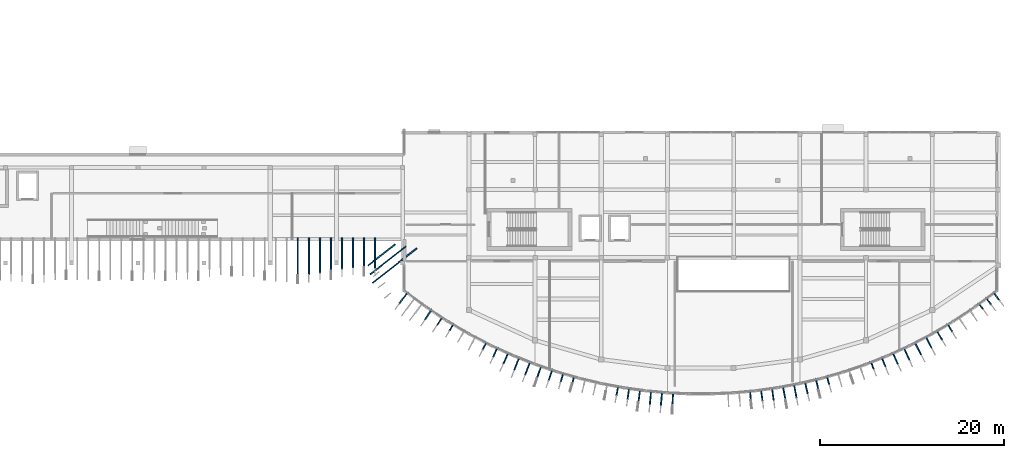
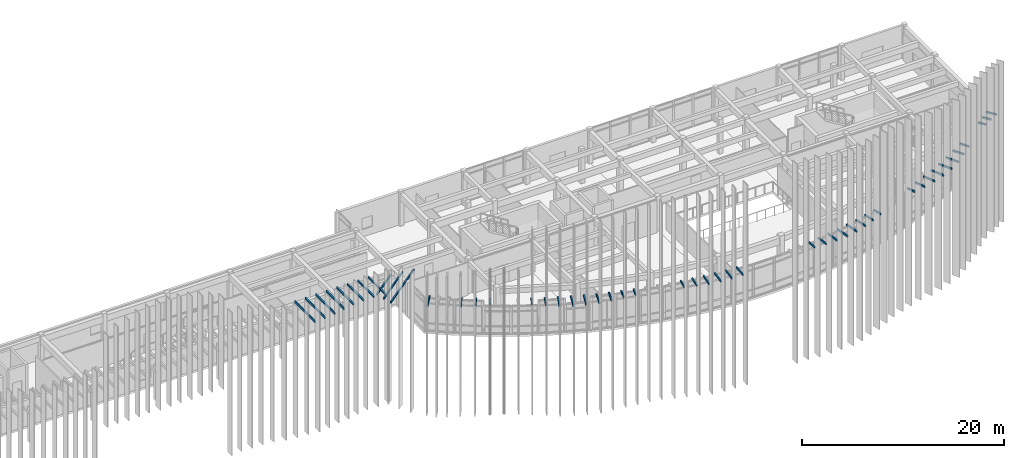
# One storey, part 37 of 47: 49 discrete accessories.
"""IFC4 building model written with IfcOpenShell, lengths in metres."""

from ifc_helpers import new_model, si_unit, direction, frame, origin, origin_2d, place, context, subcontext, project, spatial, rectangle, extrude, material, type_object, element, save


model = new_model("IFC4")

# Units and contexts
model_context = context("Model", 3, precision=1e-05, world=origin(), true_north=direction((0.0, 1.0)))
body_context = subcontext(model_context, "Body", "Model", "MODEL_VIEW")
ifc_project = project(units=[si_unit("LENGTHUNIT", "METRE"), si_unit("AREAUNIT", "SQUARE_METRE"), si_unit("VOLUMEUNIT", "CUBIC_METRE"), si_unit("PLANEANGLEUNIT", "RADIAN"), si_unit("MASSUNIT", "GRAM", prefix="KILO")], contexts=[model_context])

# Site, building, storey
site_placement = place(None, origin())
site = spatial("IfcSite", under=ifc_project, at=site_placement, CompositionType="ELEMENT")
building_placement = place(site_placement, origin())
building = spatial("IfcBuilding", under=site, at=building_placement, Name="Brisavento Harbour Community Centre", CompositionType="ELEMENT")
storey_placement = place(building_placement, frame((0.0, 0.0, 8.699951171875)))
storey = spatial("IfcBuildingStorey", under=building, at=storey_placement, Name="L02", CompositionType="ELEMENT", Elevation=8.699951171875)

# Discrete accessories
ifc_material = material(Name="Stainless steel 1.4401", Category="steel")
discrete_accessory_type = type_object("IfcDiscreteAccessoryType", Name="BRK-FIN-SS", PredefinedType="BRACKET", material=ifc_material)
discrete_accessory_1_placement = place(storey_placement, frame((96.60009765625, 15.111328125, 3.97998046875), z_axis=(0.0, 0.0, 1.0), x_axis=(0.0, -1.0, 0.0)))
element("IfcDiscreteAccessory", 1, at=discrete_accessory_1_placement, inside=storey, type_object=discrete_accessory_type, Name="Stainless-steel storm-fin bracket 082.4", PredefinedType="BRACKET", context=body_context, shape_type="SweptSolid", body=[
    extrude(rectangle(XDim=4.077392578125, YDim=0.139892578125, at=origin_2d()), origin(), (0.0, 0.0, 1.0), 0.199951171875),
])
discrete_accessory_2_placement = place(storey_placement, frame((97.800048828125, 15.1513671875, 3.97998046875), z_axis=(0.0, 0.0, 1.0), x_axis=(0.0, -1.0, 0.0)))
element("IfcDiscreteAccessory", 2, at=discrete_accessory_2_placement, inside=storey, type_object=discrete_accessory_type, Name="Stainless-steel storm-fin bracket 083.4", PredefinedType="BRACKET", context=body_context, shape_type="SweptSolid", body=[
    extrude(rectangle(XDim=3.997314453125, YDim=0.139892578125, at=origin_2d()), origin(), (0.0, 0.0, 1.0), 0.199951171875),
])
discrete_accessory_3_placement = place(storey_placement, frame((99.0, 15.2373046875, 3.97998046875), z_axis=(0.0, 0.0, 1.0), x_axis=(0.0, -1.0, 0.0)))
element("IfcDiscreteAccessory", 3, at=discrete_accessory_3_placement, inside=storey, type_object=discrete_accessory_type, Name="Stainless-steel storm-fin bracket 084.4", PredefinedType="BRACKET", context=body_context, shape_type="SweptSolid", body=[
    extrude(rectangle(XDim=3.825439453125, YDim=0.139892578125, at=origin_2d()), origin(), (0.0, 0.0, 1.0), 0.199951171875),
])
discrete_accessory_4_placement = place(storey_placement, frame((100.199951171875, 15.345947265625, 3.97998046875), z_axis=(0.0, 0.0, 1.0), x_axis=(0.0, -1.0, 0.0)))
element("IfcDiscreteAccessory", 4, at=discrete_accessory_4_placement, inside=storey, type_object=discrete_accessory_type, Name="Stainless-steel storm-fin bracket 085.4", PredefinedType="BRACKET", context=body_context, shape_type="SweptSolid", body=[
    extrude(rectangle(XDim=3.60791015625, YDim=0.139892578125, at=origin_2d()), origin(), (0.0, 0.0, 1.0), 0.199951171875),
])
discrete_accessory_5_placement = place(storey_placement, frame((101.39990234375, 15.448486328125, 3.97998046875), z_axis=(0.0, 0.0, 1.0), x_axis=(0.0, -1.0, 0.0)))
element("IfcDiscreteAccessory", 5, at=discrete_accessory_5_placement, inside=storey, type_object=discrete_accessory_type, Name="Stainless-steel storm-fin bracket 086.4", PredefinedType="BRACKET", context=body_context, shape_type="SweptSolid", body=[
    extrude(rectangle(XDim=3.403076171875, YDim=0.139892578125, at=origin_2d()), origin(), (0.0, 0.0, 1.0), 0.199951171875),
])
discrete_accessory_6_placement = place(storey_placement, frame((102.60009765625, 15.51708984375, 3.97998046875), z_axis=(0.0, 0.0, 1.0), x_axis=(0.0, -1.0, 0.0)))
element("IfcDiscreteAccessory", 6, at=discrete_accessory_6_placement, inside=storey, type_object=discrete_accessory_type, Name="Stainless-steel storm-fin bracket 087.4", PredefinedType="BRACKET", context=body_context, shape_type="SweptSolid", body=[
    extrude(rectangle(XDim=3.265625, YDim=0.139892578125, at=origin_2d()), origin(), (0.0, 0.0, 1.0), 0.199951171875),
])
discrete_accessory_7_placement = place(storey_placement, frame((103.800048828125, 15.53369140625, 3.97998046875), z_axis=(0.0, 0.0, 1.0), x_axis=(0.0, -1.0, 0.0)))
element("IfcDiscreteAccessory", 7, at=discrete_accessory_7_placement, inside=storey, type_object=discrete_accessory_type, Name="Stainless-steel storm-fin bracket 088.4", PredefinedType="BRACKET", context=body_context, shape_type="SweptSolid", body=[
    extrude(rectangle(XDim=3.232666015625, YDim=0.139892578125, at=origin_2d()), origin(), (0.0, 0.0, 1.0), 0.199951171875),
])
discrete_accessory_8_placement = place(storey_placement, frame((105.0, 15.49365234375, 3.97998046875), z_axis=(0.0, 0.0, 1.0), x_axis=(0.0, -1.0, 0.0)))
element("IfcDiscreteAccessory", 8, at=discrete_accessory_8_placement, inside=storey, type_object=discrete_accessory_type, Name="Stainless-steel storm-fin bracket 089.4", PredefinedType="BRACKET", context=body_context, shape_type="SweptSolid", body=[
    extrude(rectangle(XDim=3.312744140625, YDim=0.139892578125, at=origin_2d()), origin(), (0.0, 0.0, 1.0), 0.199951171875),
])
discrete_accessory_9_placement = place(storey_placement, frame((105.707275390625, 15.290283203125, 3.97998046875), z_axis=(0.0, 0.0, 1.0), x_axis=(-0.788053732966, -0.615606460297, 0.0)))
element("IfcDiscreteAccessory", 9, at=discrete_accessory_9_placement, inside=storey, type_object=discrete_accessory_type, Name="Stainless-steel storm-fin bracket 090.4", PredefinedType="BRACKET", context=body_context, shape_type="SweptSolid", body=[
    extrude(rectangle(XDim=3.765380859375, YDim=0.139892578125, at=origin_2d()), origin(), (0.0, 0.0, 1.0), 0.199951171875),
])
discrete_accessory_10_placement = place(storey_placement, frame((106.4140625, 14.70556640625, 3.97998046875), z_axis=(0.0, 0.0, 1.0), x_axis=(-0.788053732966, -0.615606460297, 0.0)))
element("IfcDiscreteAccessory", 10, at=discrete_accessory_10_placement, inside=storey, type_object=discrete_accessory_type, Name="Stainless-steel storm-fin bracket 091.4", PredefinedType="BRACKET", context=body_context, shape_type="SweptSolid", body=[
    extrude(rectangle(XDim=4.94970703125, YDim=0.139892578125, at=origin_2d()), origin(), (0.0, 0.0, 1.0), 0.199951171875),
])
discrete_accessory_11_placement = place(storey_placement, frame((107.130126953125, 14.1279296875, 3.97998046875), z_axis=(0.0, 0.0, 1.0), x_axis=(-0.788053732966, -0.615606460297, 0.0)))
element("IfcDiscreteAccessory", 11, at=discrete_accessory_11_placement, inside=storey, type_object=discrete_accessory_type, Name="Stainless-steel storm-fin bracket 092.4", PredefinedType="BRACKET", context=body_context, shape_type="SweptSolid", body=[
    extrude(rectangle(XDim=6.116943359375, YDim=0.139892578125, at=origin_2d()), origin(), (0.0, 0.0, 1.0), 0.199951171875),
])
discrete_accessory_12_placement = place(storey_placement, frame((108.09765625, 10.62451171875, 3.97998046875), z_axis=(0.0, 0.0, 1.0), x_axis=(-0.600252726595, -0.799810392665, 0.0)))
element("IfcDiscreteAccessory", 12, at=discrete_accessory_12_placement, inside=storey, type_object=discrete_accessory_type, Name="Stainless-steel storm-fin bracket 093.4", PredefinedType="BRACKET", context=body_context, shape_type="SweptSolid", body=[
    extrude(rectangle(XDim=1.607666015625, YDim=0.139892578125, at=origin_2d()), origin(), (0.0, 0.0, 1.0), 0.199951171875),
])
discrete_accessory_13_placement = place(storey_placement, frame((110.77685546875, 8.7919921875, 3.97998046875), z_axis=(0.0, 0.0, 1.0), x_axis=(-0.554060082852, -0.832476681109, 0.0)))
element("IfcDiscreteAccessory", 13, at=discrete_accessory_13_placement, inside=storey, type_object=discrete_accessory_type, Name="Stainless-steel storm-fin bracket 096.4", PredefinedType="BRACKET", context=body_context, shape_type="SweptSolid", body=[
    extrude(rectangle(XDim=1.405517578125, YDim=0.139892578125, at=origin_2d()), origin(), (0.0, 0.0, 1.0), 0.199951171875),
])
discrete_accessory_14_placement = place(storey_placement, frame((112.048583984375, 8.100830078125, 3.97998046875), z_axis=(0.0, 0.0, 1.0), x_axis=(-0.554060082852, -0.832476681109, 0.0)))
element("IfcDiscreteAccessory", 14, at=discrete_accessory_14_placement, inside=storey, type_object=discrete_accessory_type, Name="Stainless-steel storm-fin bracket 097.4", PredefinedType="BRACKET", context=body_context, shape_type="SweptSolid", body=[
    extrude(rectangle(XDim=1.146728515625, YDim=0.139892578125, at=origin_2d()), origin(), (0.0, 0.0, 1.0), 0.199951171875),
])
discrete_accessory_15_placement = place(storey_placement, frame((113.3203125, 7.4404296875, 3.97998046875), z_axis=(0.0, 0.0, 1.0), x_axis=(-0.507869167385, -0.861434216188, 0.0)))
element("IfcDiscreteAccessory", 15, at=discrete_accessory_15_placement, inside=storey, type_object=discrete_accessory_type, Name="Stainless-steel storm-fin bracket 098.4", PredefinedType="BRACKET", context=body_context, shape_type="SweptSolid", body=[
    extrude(rectangle(XDim=0.913330078125, YDim=0.139892578125, at=origin_2d()), origin(), (0.0, 0.0, 1.0), 0.199951171875),
])
discrete_accessory_16_placement = place(storey_placement, frame((116.914794921875, 5.41357421875, 3.97998046875), z_axis=(0.0, 0.0, 1.0), x_axis=(-0.461702168823, -0.887035009063, 0.0)))
element("IfcDiscreteAccessory", 16, at=discrete_accessory_16_placement, inside=storey, type_object=discrete_accessory_type, Name="Stainless-steel storm-fin bracket 101.4", PredefinedType="BRACKET", context=body_context, shape_type="SweptSolid", body=[
    extrude(rectangle(XDim=0.968994140625, YDim=0.139892578125, at=origin_2d()), origin(), (0.0, 0.0, 1.0), 0.199951171875),
])
discrete_accessory_17_placement = place(storey_placement, frame((118.07470703125, 4.716796875, 3.97998046875), z_axis=(0.0, 0.0, 1.0), x_axis=(-0.415518926407, -0.909584532519, 0.0)))
element("IfcDiscreteAccessory", 17, at=discrete_accessory_17_placement, inside=storey, type_object=discrete_accessory_type, Name="Stainless-steel storm-fin bracket 102.4", PredefinedType="BRACKET", context=body_context, shape_type="SweptSolid", body=[
    extrude(rectangle(XDim=1.20263671875, YDim=0.139892578125, at=origin_2d()), origin(), (0.0, 0.0, 1.0), 0.199951171875),
])
discrete_accessory_18_placement = place(storey_placement, frame((119.2265625, 4.063232421875, 3.97998046875), z_axis=(0.0, 0.0, 1.0), x_axis=(-0.415518926407, -0.909584532519, 0.0)))
element("IfcDiscreteAccessory", 18, at=discrete_accessory_18_placement, inside=storey, type_object=discrete_accessory_type, Name="Stainless-steel storm-fin bracket 103.4", PredefinedType="BRACKET", context=body_context, shape_type="SweptSolid", body=[
    extrude(rectangle(XDim=1.434326171875, YDim=0.139892578125, at=origin_2d()), origin(), (0.0, 0.0, 1.0), 0.199951171875),
])
discrete_accessory_19_placement = place(storey_placement, frame((120.4169921875, 3.4697265625, 3.97998046875), z_axis=(0.0, 0.0, 1.0), x_axis=(-0.369341311525, -0.92929381554, 0.0)))
element("IfcDiscreteAccessory", 19, at=discrete_accessory_19_placement, inside=storey, type_object=discrete_accessory_type, Name="Stainless-steel storm-fin bracket 104.4", PredefinedType="BRACKET", context=body_context, shape_type="SweptSolid", body=[
    extrude(rectangle(XDim=1.59130859375, YDim=0.139892578125, at=origin_2d()), origin(), (0.0, 0.0, 1.0), 0.199951171875),
])
discrete_accessory_20_placement = place(storey_placement, frame((121.6103515625, 2.976318359375, 3.97998046875), z_axis=(0.0, 0.0, 1.0), x_axis=(-0.369341311525, -0.92929381554, 0.0)))
element("IfcDiscreteAccessory", 20, at=discrete_accessory_20_placement, inside=storey, type_object=discrete_accessory_type, Name="Stainless-steel storm-fin bracket 105.4", PredefinedType="BRACKET", context=body_context, shape_type="SweptSolid", body=[
    extrude(rectangle(XDim=1.626220703125, YDim=0.139892578125, at=origin_2d()), origin(), (0.0, 0.0, 1.0), 0.199951171875),
])
discrete_accessory_21_placement = place(storey_placement, frame((122.849365234375, 2.568603515625, 3.97998046875), z_axis=(0.0, 0.0, 1.0), x_axis=(-0.323174264667, -0.94633947115, 0.0)))
element("IfcDiscreteAccessory", 21, at=discrete_accessory_21_placement, inside=storey, type_object=discrete_accessory_type, Name="Stainless-steel storm-fin bracket 106.4", PredefinedType="BRACKET", context=body_context, shape_type="SweptSolid", body=[
    extrude(rectangle(XDim=1.53271484375, YDim=0.139892578125, at=origin_2d()), origin(), (0.0, 0.0, 1.0), 0.199951171875),
])
discrete_accessory_22_placement = place(storey_placement, frame((124.080078125, 2.249267578125, 3.97998046875), z_axis=(0.0, 0.0, 1.0), x_axis=(-0.323174264667, -0.94633947115, 0.0)))
element("IfcDiscreteAccessory", 22, at=discrete_accessory_22_placement, inside=storey, type_object=discrete_accessory_type, Name="Stainless-steel storm-fin bracket 107.4", PredefinedType="BRACKET", context=body_context, shape_type="SweptSolid", body=[
    extrude(rectangle(XDim=1.341552734375, YDim=0.139892578125, at=origin_2d()), origin(), (0.0, 0.0, 1.0), 0.199951171875),
])
discrete_accessory_23_placement = place(storey_placement, frame((125.3291015625, 1.9765625, 3.97998046875), z_axis=(0.0, 0.0, 1.0), x_axis=(-0.276996031628, -0.96087106235, 0.0)))
element("IfcDiscreteAccessory", 23, at=discrete_accessory_23_placement, inside=storey, type_object=discrete_accessory_type, Name="Stainless-steel storm-fin bracket 108.4", PredefinedType="BRACKET", context=body_context, shape_type="SweptSolid", body=[
    extrude(rectangle(XDim=1.111328125, YDim=0.139892578125, at=origin_2d()), origin(), (0.0, 0.0, 1.0), 0.199951171875),
])
discrete_accessory_24_placement = place(storey_placement, frame((126.55712890625, 1.727294921875, 3.97998046875), z_axis=(0.0, 0.0, 1.0), x_axis=(-0.276996031628, -0.96087106235, 0.0)))
element("IfcDiscreteAccessory", 24, at=discrete_accessory_24_placement, inside=storey, type_object=discrete_accessory_type, Name="Stainless-steel storm-fin bracket 109.4", PredefinedType="BRACKET", context=body_context, shape_type="SweptSolid", body=[
    extrude(rectangle(XDim=0.909912109375, YDim=0.139892578125, at=origin_2d()), origin(), (0.0, 0.0, 1.0), 0.199951171875),
])
discrete_accessory_25_placement = place(storey_placement, frame((131.35302734375, 0.545166015625, 3.97998046875), z_axis=(0.0, 0.0, 1.0), x_axis=(-0.184671830369, -0.982800241691, 0.0)))
element("IfcDiscreteAccessory", 25, at=discrete_accessory_25_placement, inside=storey, type_object=discrete_accessory_type, Name="Stainless-steel storm-fin bracket 113.4", PredefinedType="BRACKET", context=body_context, shape_type="SweptSolid", body=[
    extrude(rectangle(XDim=1.109619140625, YDim=0.139892578125, at=origin_2d()), origin(), (0.0, 0.0, 1.0), 0.199951171875),
])
discrete_accessory_26_placement = place(storey_placement, frame((132.54931640625, 0.236328125, 3.97998046875), z_axis=(0.0, 0.0, 1.0), x_axis=(-0.138499014678, -0.990362571452, 0.0)))
element("IfcDiscreteAccessory", 26, at=discrete_accessory_26_placement, inside=storey, type_object=discrete_accessory_type, Name="Stainless-steel storm-fin bracket 114.4", PredefinedType="BRACKET", context=body_context, shape_type="SweptSolid", body=[
    extrude(rectangle(XDim=1.332275390625, YDim=0.139892578125, at=origin_2d()), origin(), (0.0, 0.0, 1.0), 0.199951171875),
])
discrete_accessory_27_placement = place(storey_placement, frame((133.736328125, -0.024169921875, 3.97998046875), z_axis=(0.0, 0.0, 1.0), x_axis=(-0.138499014678, -0.990362571452, 0.0)))
element("IfcDiscreteAccessory", 27, at=discrete_accessory_27_placement, inside=storey, type_object=discrete_accessory_type, Name="Stainless-steel storm-fin bracket 115.4", PredefinedType="BRACKET", context=body_context, shape_type="SweptSolid", body=[
    extrude(rectangle(XDim=1.51953125, YDim=0.139892578125, at=origin_2d()), origin(), (0.0, 0.0, 1.0), 0.199951171875),
])
discrete_accessory_28_placement = place(storey_placement, frame((134.952880859375, -0.21630859375, 3.97998046875), z_axis=(0.0, 0.0, 1.0), x_axis=(-0.092335830041, -0.99572792192, 0.0)))
element("IfcDiscreteAccessory", 28, at=discrete_accessory_28_placement, inside=storey, type_object=discrete_accessory_type, Name="Stainless-steel storm-fin bracket 116.4", PredefinedType="BRACKET", context=body_context, shape_type="SweptSolid", body=[
    extrude(rectangle(XDim=1.62060546875, YDim=0.139892578125, at=origin_2d()), origin(), (0.0, 0.0, 1.0), 0.199951171875),
])
discrete_accessory_29_placement = place(storey_placement, frame((136.1533203125, -0.322021484375, 3.97998046875), z_axis=(0.0, 0.0, 1.0), x_axis=(-0.092335830041, -0.99572792192, 0.0)))
element("IfcDiscreteAccessory", 29, at=discrete_accessory_29_placement, inside=storey, type_object=discrete_accessory_type, Name="Stainless-steel storm-fin bracket 117.4", PredefinedType="BRACKET", context=body_context, shape_type="SweptSolid", body=[
    extrude(rectangle(XDim=1.609130859375, YDim=0.139892578125, at=origin_2d()), origin(), (0.0, 0.0, 1.0), 0.199951171875),
])
discrete_accessory_30_placement = place(storey_placement, frame((137.37939453125, -0.3466796875, 3.97998046875), z_axis=(0.0, 0.0, 1.0), x_axis=(-0.0461649984, -0.9989338281, 0.0)))
element("IfcDiscreteAccessory", 30, at=discrete_accessory_30_placement, inside=storey, type_object=discrete_accessory_type, Name="Stainless-steel storm-fin bracket 118.4", PredefinedType="BRACKET", context=body_context, shape_type="SweptSolid", body=[
    extrude(rectangle(XDim=1.488525390625, YDim=0.139892578125, at=origin_2d()), origin(), (0.0, 0.0, 1.0), 0.199951171875),
])
discrete_accessory_31_placement = place(storey_placement, frame((145.823974609375, 0.032958984375, 3.97998046875), z_axis=(0.0, 0.0, 1.0), x_axis=(0.092335830041, -0.99572792192, 0.0)))
element("IfcDiscreteAccessory", 31, at=discrete_accessory_31_placement, inside=storey, type_object=discrete_accessory_type, Name="Stainless-steel storm-fin bracket 121.4", PredefinedType="BRACKET", context=body_context, shape_type="SweptSolid", body=[
    extrude(rectangle(XDim=1.119873046875, YDim=0.139892578125, at=origin_2d()), origin(), (0.0, 0.0, 1.0), 0.199951171875),
])
discrete_accessory_32_placement = place(storey_placement, frame((147.05126953125, 0.064208984375, 3.97998046875), z_axis=(0.0, 0.0, 1.0), x_axis=(0.138499014678, -0.990362571452, 0.0)))
element("IfcDiscreteAccessory", 32, at=discrete_accessory_32_placement, inside=storey, type_object=discrete_accessory_type, Name="Stainless-steel storm-fin bracket 122.4", PredefinedType="BRACKET", context=body_context, shape_type="SweptSolid", body=[
    extrude(rectangle(XDim=1.3408203125, YDim=0.139892578125, at=origin_2d()), origin(), (0.0, 0.0, 1.0), 0.199951171875),
])
discrete_accessory_33_placement = place(storey_placement, frame((148.26416015625, 0.140625, 3.97998046875), z_axis=(0.0, 0.0, 1.0), x_axis=(0.138499014678, -0.990362571452, 0.0)))
element("IfcDiscreteAccessory", 33, at=discrete_accessory_33_placement, inside=storey, type_object=discrete_accessory_type, Name="Stainless-steel storm-fin bracket 123.4", PredefinedType="BRACKET", context=body_context, shape_type="SweptSolid", body=[
    extrude(rectangle(XDim=1.525390625, YDim=0.139892578125, at=origin_2d()), origin(), (0.0, 0.0, 1.0), 0.199951171875),
])
discrete_accessory_34_placement = place(storey_placement, frame((149.494384765625, 0.293212890625, 3.97998046875), z_axis=(0.0, 0.0, 1.0), x_axis=(0.184671830369, -0.982800241691, 0.0)))
element("IfcDiscreteAccessory", 34, at=discrete_accessory_34_placement, inside=storey, type_object=discrete_accessory_type, Name="Stainless-steel storm-fin bracket 124.4", PredefinedType="BRACKET", context=body_context, shape_type="SweptSolid", body=[
    extrude(rectangle(XDim=1.622802734375, YDim=0.139892578125, at=origin_2d()), origin(), (0.0, 0.0, 1.0), 0.199951171875),
])
discrete_accessory_35_placement = place(storey_placement, frame((150.69287109375, 0.527587890625, 3.97998046875), z_axis=(0.0, 0.0, 1.0), x_axis=(0.184671830369, -0.982800241691, 0.0)))
element("IfcDiscreteAccessory", 35, at=discrete_accessory_35_placement, inside=storey, type_object=discrete_accessory_type, Name="Stainless-steel storm-fin bracket 125.4", PredefinedType="BRACKET", context=body_context, shape_type="SweptSolid", body=[
    extrude(rectangle(XDim=1.604736328125, YDim=0.139892578125, at=origin_2d()), origin(), (0.0, 0.0, 1.0), 0.199951171875),
])
discrete_accessory_36_placement = place(storey_placement, frame((151.90087890625, 0.8505859375, 3.97998046875), z_axis=(0.0, 0.0, 1.0), x_axis=(0.230830981037, -0.972993863389, 0.0)))
element("IfcDiscreteAccessory", 36, at=discrete_accessory_36_placement, inside=storey, type_object=discrete_accessory_type, Name="Stainless-steel storm-fin bracket 126.4", PredefinedType="BRACKET", context=body_context, shape_type="SweptSolid", body=[
    extrude(rectangle(XDim=1.47509765625, YDim=0.139892578125, at=origin_2d()), origin(), (0.0, 0.0, 1.0), 0.199951171875),
])
discrete_accessory_37_placement = place(storey_placement, frame((153.0771484375, 1.235595703125, 3.97998046875), z_axis=(0.0, 0.0, 1.0), x_axis=(0.230830981037, -0.972993863389, 0.0)))
element("IfcDiscreteAccessory", 37, at=discrete_accessory_37_placement, inside=storey, type_object=discrete_accessory_type, Name="Stainless-steel storm-fin bracket 127.4", PredefinedType="BRACKET", context=body_context, shape_type="SweptSolid", body=[
    extrude(rectangle(XDim=1.2685546875, YDim=0.139892578125, at=origin_2d()), origin(), (0.0, 0.0, 1.0), 0.199951171875),
])
discrete_accessory_38_placement = place(storey_placement, frame((154.26123046875, 1.66357421875, 3.97998046875), z_axis=(0.0, 0.0, 1.0), x_axis=(0.276996031628, -0.96087106235, 0.0)))
element("IfcDiscreteAccessory", 38, at=discrete_accessory_38_placement, inside=storey, type_object=discrete_accessory_type, Name="Stainless-steel storm-fin bracket 128.4", PredefinedType="BRACKET", context=body_context, shape_type="SweptSolid", body=[
    extrude(rectangle(XDim=1.04296875, YDim=0.139892578125, at=origin_2d()), origin(), (0.0, 0.0, 1.0), 0.199951171875),
])
discrete_accessory_39_placement = place(storey_placement, frame((159.071044921875, 3.2744140625, 3.97998046875), z_axis=(0.0, 0.0, 1.0), x_axis=(0.369341311525, -0.92929381554, 0.0)))
element("IfcDiscreteAccessory", 39, at=discrete_accessory_39_placement, inside=storey, type_object=discrete_accessory_type, Name="Stainless-steel storm-fin bracket 132.4", PredefinedType="BRACKET", context=body_context, shape_type="SweptSolid", body=[
    extrude(rectangle(XDim=0.98486328125, YDim=0.139892578125, at=origin_2d()), origin(), (0.0, 0.0, 1.0), 0.199951171875),
])
discrete_accessory_40_placement = place(storey_placement, frame((160.313232421875, 3.645263671875, 3.97998046875), z_axis=(0.0, 0.0, 1.0), x_axis=(0.369341311525, -0.92929381554, 0.0)))
element("IfcDiscreteAccessory", 40, at=discrete_accessory_40_placement, inside=storey, type_object=discrete_accessory_type, Name="Stainless-steel storm-fin bracket 133.4", PredefinedType="BRACKET", context=body_context, shape_type="SweptSolid", body=[
    extrude(rectangle(XDim=1.212890625, YDim=0.139892578125, at=origin_2d()), origin(), (0.0, 0.0, 1.0), 0.199951171875),
])
discrete_accessory_41_placement = place(storey_placement, frame((161.57470703125, 4.060302734375, 3.97998046875), z_axis=(0.0, 0.0, 1.0), x_axis=(0.415518926407, -0.909584532519, 0.0)))
element("IfcDiscreteAccessory", 41, at=discrete_accessory_41_placement, inside=storey, type_object=discrete_accessory_type, Name="Stainless-steel storm-fin bracket 134.4", PredefinedType="BRACKET", context=body_context, shape_type="SweptSolid", body=[
    extrude(rectangle(XDim=1.44091796875, YDim=0.139892578125, at=origin_2d()), origin(), (0.0, 0.0, 1.0), 0.199951171875),
])
discrete_accessory_42_placement = place(storey_placement, frame((162.806884765625, 4.538330078125, 3.97998046875), z_axis=(0.0, 0.0, 1.0), x_axis=(0.415518926407, -0.909584532519, 0.0)))
element("IfcDiscreteAccessory", 42, at=discrete_accessory_42_placement, inside=storey, type_object=discrete_accessory_type, Name="Stainless-steel storm-fin bracket 135.4", PredefinedType="BRACKET", context=body_context, shape_type="SweptSolid", body=[
    extrude(rectangle(XDim=1.59521484375, YDim=0.139892578125, at=origin_2d()), origin(), (0.0, 0.0, 1.0), 0.199951171875),
])
discrete_accessory_43_placement = place(storey_placement, frame((164.036376953125, 5.123291015625, 3.97998046875), z_axis=(0.0, 0.0, 1.0), x_axis=(0.461702168823, -0.887035009063, 0.0)))
element("IfcDiscreteAccessory", 43, at=discrete_accessory_43_placement, inside=storey, type_object=discrete_accessory_type, Name="Stainless-steel storm-fin bracket 136.4", PredefinedType="BRACKET", context=body_context, shape_type="SweptSolid", body=[
    extrude(rectangle(XDim=1.623291015625, YDim=0.139892578125, at=origin_2d()), origin(), (0.0, 0.0, 1.0), 0.199951171875),
])
discrete_accessory_44_placement = place(storey_placement, frame((165.210205078125, 5.7978515625, 3.97998046875), z_axis=(0.0, 0.0, 1.0), x_axis=(0.461702168823, -0.887035009063, 0.0)))
element("IfcDiscreteAccessory", 44, at=discrete_accessory_44_placement, inside=storey, type_object=discrete_accessory_type, Name="Stainless-steel storm-fin bracket 137.4", PredefinedType="BRACKET", context=body_context, shape_type="SweptSolid", body=[
    extrude(rectangle(XDim=1.510986328125, YDim=0.139892578125, at=origin_2d()), origin(), (0.0, 0.0, 1.0), 0.199951171875),
])
discrete_accessory_45_placement = place(storey_placement, frame((166.375732421875, 6.570068359375, 3.97998046875), z_axis=(0.0, 0.0, 1.0), x_axis=(0.507869167385, -0.861434216188, 0.0)))
element("IfcDiscreteAccessory", 45, at=discrete_accessory_45_placement, inside=storey, type_object=discrete_accessory_type, Name="Stainless-steel storm-fin bracket 138.4", PredefinedType="BRACKET", context=body_context, shape_type="SweptSolid", body=[
    extrude(rectangle(XDim=1.29150390625, YDim=0.139892578125, at=origin_2d()), origin(), (0.0, 0.0, 1.0), 0.199951171875),
])
discrete_accessory_46_placement = place(storey_placement, frame((167.51123046875, 7.386474609375, 3.97998046875), z_axis=(0.0, 0.0, 1.0), x_axis=(0.507869167385, -0.861434216188, 0.0)))
element("IfcDiscreteAccessory", 46, at=discrete_accessory_46_placement, inside=storey, type_object=discrete_accessory_type, Name="Stainless-steel storm-fin bracket 139.4", PredefinedType="BRACKET", context=body_context, shape_type="SweptSolid", body=[
    extrude(rectangle(XDim=1.03857421875, YDim=0.139892578125, at=origin_2d()), origin(), (0.0, 0.0, 1.0), 0.199951171875),
])
discrete_accessory_47_placement = place(storey_placement, frame((170.877197265625, 9.723876953125, 3.97998046875), z_axis=(0.0, 0.0, 1.0), x_axis=(0.600252726595, -0.799810392665, 0.0)))
element("IfcDiscreteAccessory", 47, at=discrete_accessory_47_placement, inside=storey, type_object=discrete_accessory_type, Name="Stainless-steel storm-fin bracket 142.4", PredefinedType="BRACKET", context=body_context, shape_type="SweptSolid", body=[
    extrude(rectangle(XDim=0.857177734375, YDim=0.139892578125, at=origin_2d()), origin(), (0.0, 0.0, 1.0), 0.199951171875),
])
discrete_accessory_48_placement = place(storey_placement, frame((171.718017578125, 10.27001953125, 3.97998046875), z_axis=(0.0, 0.0, 1.0), x_axis=(0.600252726595, -0.799810392665, 0.0)))
element("IfcDiscreteAccessory", 48, at=discrete_accessory_48_placement, inside=storey, type_object=discrete_accessory_type, Name="Stainless-steel storm-fin bracket 143.4", PredefinedType="BRACKET", context=body_context, shape_type="SweptSolid", body=[
    extrude(rectangle(XDim=0.992919921875, YDim=0.139892578125, at=origin_2d()), origin(), (0.0, 0.0, 1.0), 0.199951171875),
])
discrete_accessory_49_placement = place(storey_placement, frame((172.570556640625, 10.800048828125, 3.97998046875), z_axis=(0.0, 0.0, 1.0), x_axis=(0.600252726595, -0.799810392665, 0.0)))
element("IfcDiscreteAccessory", 49, at=discrete_accessory_49_placement, inside=storey, type_object=discrete_accessory_type, Name="Stainless-steel storm-fin bracket 144.4", PredefinedType="BRACKET", context=body_context, shape_type="SweptSolid", body=[
    extrude(rectangle(XDim=1.16845703125, YDim=0.139892578125, at=origin_2d()), origin(), (0.0, 0.0, 1.0), 0.199951171875),
])

save(model, "model.ifc")
